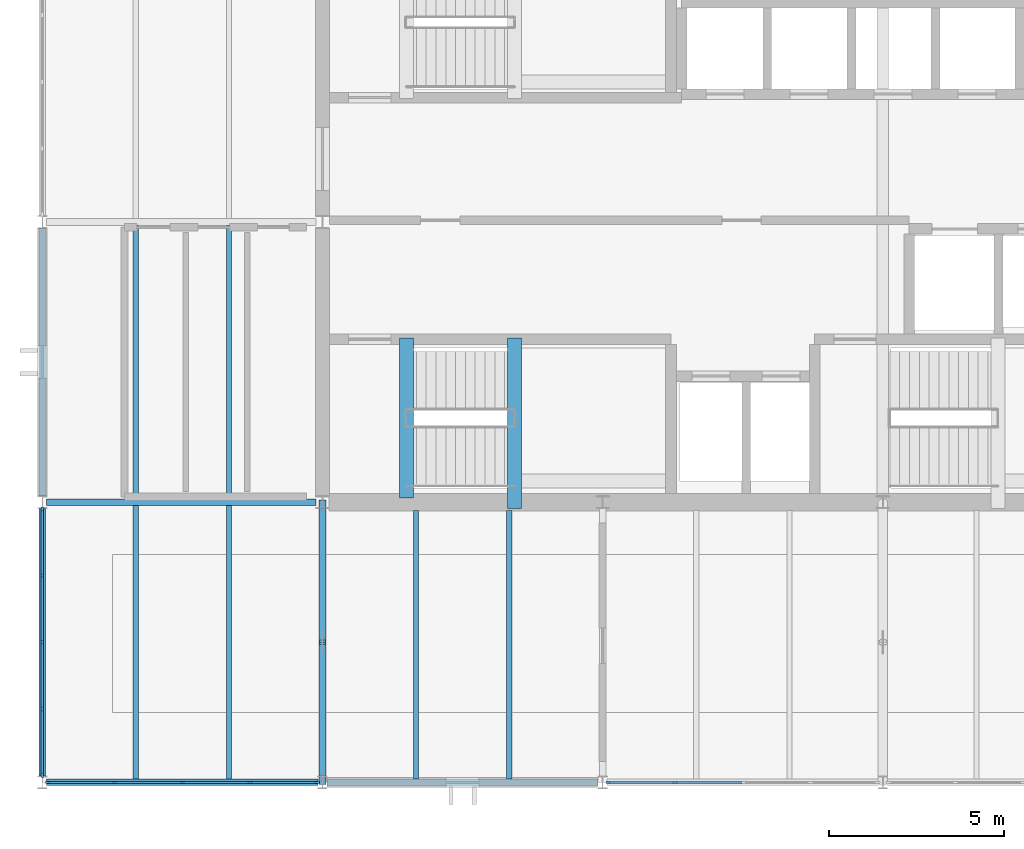
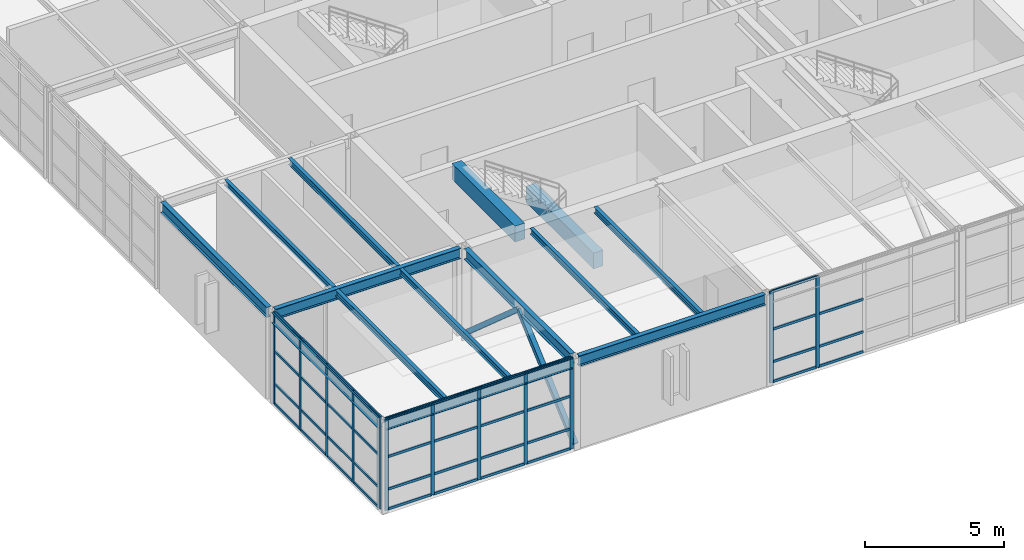
# One storey, part 5 of 21: 53 members, 14 beams, 3 elements without a shape of their own.
"""IFC4 building model written with IfcOpenShell, lengths in metres."""

import ifcopenshell
import ifcopenshell.guid

model = None  # the IFC model being written
_history = None  # IfcOwnerHistory: only IFC2X3 demands one
_inside = {}  # id of a spatial element -> (the spatial element, [elements in it])
_under = {}  # id of a project, library or spatial element -> (it, [spatial elements below it])
_declared = {}  # id of a project -> (the project, [libraries it declares])
_typed = {}  # id of a type object -> (the type object, [elements of that type])
_made_of = {}  # id of a material, layer set ... -> (it, [elements and type objects made of it])


def new_model(schema):
    """Start an empty IFC model of exactly this schema.

    Asked for "IFC4X3", IfcOpenShell would pick the latest addendum, in which some entities
    have other attributes; the version numbers below select the first issue.
    IFC2X3 requires an IfcOwnerHistory on every rooted entity: one is made here for all.
    """
    global model, _history
    if schema == "IFC4X3":
        model = ifcopenshell.file(schema_version=(4, 3, 0, 0))
    else:
        model = ifcopenshell.file(schema=schema)
    _inside.clear()
    _under.clear()
    _declared.clear()
    _typed.clear()
    _made_of.clear()
    _history = None
    if model.schema == "IFC2X3":
        org = make("IfcOrganization", Name="unknown")
        user = make(
            "IfcPersonAndOrganization",
            ThePerson=make("IfcPerson", FamilyName="unknown"),
            TheOrganization=org,
        )
        app = make(
            "IfcApplication",
            ApplicationDeveloper=org,
            Version="unknown",
            ApplicationFullName="unknown",
            ApplicationIdentifier="unknown",
        )
        _history = make(
            "IfcOwnerHistory",
            OwningUser=user,
            OwningApplication=app,
            ChangeAction="ADDED",
            CreationDate=0,
        )
    return model


def make(cls, **values):
    """One entity of the class cls with the attributes given. An attribute that is None is left unset."""
    return model.create_entity(
        cls, **{name: value for name, value in values.items() if value is not None}
    )


def rooted(cls, **values):
    """An entity with a GlobalId (a new one), such as an element, a storey or a relation."""
    return make(cls, GlobalId=ifcopenshell.guid.new(), OwnerHistory=_history, **values)


def si_unit(unit_type, name, prefix=None):
    """IfcSIUnit, for example si_unit("LENGTHUNIT", "METRE", prefix="MILLI")."""
    return make("IfcSIUnit", UnitType=unit_type, Prefix=prefix, Name=name)


def assignment(units):
    """IfcUnitAssignment: the units of a project."""
    return None if units is None else make("IfcUnitAssignment", Units=units)


def point(xyz):
    """IfcCartesianPoint."""
    return None if xyz is None else make("IfcCartesianPoint", Coordinates=xyz)


def direction(xyz):
    """IfcDirection."""
    return None if xyz is None else make("IfcDirection", DirectionRatios=xyz)


def frame(location, z_axis=None, x_axis=None):
    """IfcAxis2Placement3D, a coordinate frame: its origin and axes. An axis left out is left unset."""
    return make(
        "IfcAxis2Placement3D",
        Location=point(location),
        Axis=direction(z_axis),
        RefDirection=direction(x_axis),
    )


def frame_2d(location, x_axis=None):
    """IfcAxis2Placement2D, a coordinate frame in the plane: its origin and x axis."""
    return make(
        "IfcAxis2Placement2D", Location=point(location), RefDirection=direction(x_axis)
    )


def origin():
    """The frame at (0, 0, 0) with its axes left unset."""
    return frame((0.0, 0.0, 0.0))


def origin_2d():
    """The frame at (0, 0) in the plane with its x axis left unset."""
    return frame_2d((0.0, 0.0))


def place(relative_to, where):
    """IfcLocalPlacement: puts the frame where relative to a parent placement (None: the world)."""
    return make(
        "IfcLocalPlacement", PlacementRelTo=relative_to, RelativePlacement=where
    )


def context(
    kind, dimensions, precision=None, world=None, true_north=None, identifier=None
):
    """IfcGeometricRepresentationContext, for example the 3D "Model" context."""
    return make(
        "IfcGeometricRepresentationContext",
        ContextIdentifier=identifier,
        ContextType=kind,
        CoordinateSpaceDimension=dimensions,
        Precision=precision,
        WorldCoordinateSystem=world,
        TrueNorth=true_north,
    )


def subcontext(parent, identifier, kind, view, scale=None):
    """IfcGeometricRepresentationSubContext, for example "Body" below "Model"."""
    return make(
        "IfcGeometricRepresentationSubContext",
        ContextIdentifier=identifier,
        ContextType=kind,
        ParentContext=parent,
        TargetScale=scale,
        TargetView=view,
    )


def project(units=None, contexts=None):
    """IfcProject with its units and contexts."""
    return rooted(
        "IfcProject",
        Name="project",
        RepresentationContexts=contexts,
        UnitsInContext=assignment(units),
    )


def spatial(cls, under=None, at=None, **own):
    """A site, building, storey or space (cls), placed at a placement, below another one or the project."""
    s = rooted(cls, ObjectPlacement=at, **own)
    if under is not None:
        _under.setdefault(under.id(), (under, []))[1].append(s)
    return s


def profile(cls, at=None, kind="AREA", **sizes):
    """A parametric profile (cls). Its sizes go by their IFC names, for example OverallWidth=200.0."""
    return make(cls, ProfileType=kind, Position=at, **sizes)


def rectangle(**sizes):
    """IfcRectangleProfileDef."""
    return profile("IfcRectangleProfileDef", **sizes)


def hollow_rectangle(**sizes):
    """IfcRectangleHollowProfileDef."""
    return profile("IfcRectangleHollowProfileDef", **sizes)


def i_section(**sizes):
    """IfcIShapeProfileDef."""
    return profile("IfcIShapeProfileDef", **sizes)


def extrude(swept, where, along, depth):
    """IfcExtrudedAreaSolid: the profile swept, set in the frame where, extruded along a direction by depth."""
    return make(
        "IfcExtrudedAreaSolid",
        SweptArea=swept,
        Position=where,
        ExtrudedDirection=direction(along),
        Depth=depth,
    )


def shape(context_of_items, identifier, shape_type, items):
    """IfcShapeRepresentation: the items that make up one representation, for example the "Body"."""
    return make(
        "IfcShapeRepresentation",
        ContextOfItems=context_of_items,
        RepresentationIdentifier=identifier,
        RepresentationType=shape_type,
        Items=items,
    )


def material(Name=None, Category=None):
    """IfcMaterial."""
    return make("IfcMaterial", Name=Name, Category=Category)


def layer(
    of_material, thickness, ventilated=None, Name=None, Category=None, Priority=None
):
    """IfcMaterialLayer: one layer of a wall or slab, of a material (None: an air gap)."""
    return make(
        "IfcMaterialLayer",
        Material=of_material,
        LayerThickness=thickness,
        IsVentilated=ventilated,
        Name=Name,
        Category=Category,
        Priority=Priority,
    )


def layer_set(layers, Name=None):
    """IfcMaterialLayerSet."""
    return make("IfcMaterialLayerSet", MaterialLayers=layers, LayerSetName=Name)


def material_profile(
    of_material, cross_section, Name=None, Category=None, Priority=None
):
    """IfcMaterialProfile: a cross section and its material."""
    return make(
        "IfcMaterialProfile",
        Name=Name,
        Material=of_material,
        Profile=cross_section,
        Priority=Priority,
        Category=Category,
    )


def profile_set(profiles, Name=None, composite=None):
    """IfcMaterialProfileSet."""
    return make(
        "IfcMaterialProfileSet",
        Name=Name,
        MaterialProfiles=profiles,
        CompositeProfile=composite,
    )


def made_of(thing, what):
    """Note that an element or type object is made of a material, layer set ...; save() writes the relation."""
    if what is not None:
        _made_of.setdefault(what.id(), (what, []))[1].append(thing)
    return thing


def type_object(cls, material=None, **own):
    """A type object (cls), such as IfcWallType, which elements share."""
    return made_of(rooted(cls, **own), material)


def element(
    cls,
    number,
    at=None,
    inside=None,
    cuts=None,
    type_object=None,
    material=None,
    context=None,
    identifier="Body",
    shape_type=None,
    held_by="IfcProductDefinitionShape",
    body=None,
    shapes=None,
    **own,
):
    """One element of the class cls, such as IfcWall. Its Tag is "e" and its number.

    at: its placement. inside: the storey or other place that contains it. cuts: it is an
    opening in that element (IfcRelVoidsElement). A single representation is given by context,
    identifier, shape_type and body (its items); several are given by shapes. held_by: the class
    of the entity that holds the representations. save() writes the other relations.
    """
    e = rooted(cls, Tag="e%d" % number, ObjectPlacement=at, **own)
    if body is not None:
        shapes = [shape(context, identifier, shape_type, body)]
    if shapes is not None:
        e.Representation = make(held_by, Representations=shapes)
    if inside is not None:
        _inside.setdefault(inside.id(), (inside, []))[1].append(e)
    if cuts is not None:
        rooted(
            "IfcRelVoidsElement", RelatingBuildingElement=cuts, RelatedOpeningElement=e
        )
    if type_object is not None:
        _typed.setdefault(type_object.id(), (type_object, []))[1].append(e)
    return made_of(e, material)


def aggregate(whole, parts):
    """IfcRelAggregates: a whole, such as a stair, and the parts it consists of."""
    return rooted("IfcRelAggregates", RelatingObject=whole, RelatedObjects=parts)


def save(model, path):
    """Write the relations noted so far, then the file.

    IfcRelAggregates (storeys below a building ...), IfcRelContainedInSpatialStructure (elements
    in a storey), IfcRelDefinesByType, IfcRelAssociatesMaterial and IfcRelDeclares: one each for
    every whole, place, type object, material and project.
    """
    for whole, parts in _under.values():
        aggregate(whole, parts)
    for where, things in _inside.values():
        rooted(
            "IfcRelContainedInSpatialStructure",
            RelatedElements=things,
            RelatingStructure=where,
        )
    for kind, things in _typed.values():
        rooted("IfcRelDefinesByType", RelatedObjects=things, RelatingType=kind)
    for what, things in _made_of.values():
        rooted("IfcRelAssociatesMaterial", RelatedObjects=things, RelatingMaterial=what)
    for by, libraries in _declared.values():
        rooted("IfcRelDeclares", RelatingContext=by, RelatedDefinitions=libraries)
    model.write(path)


model = new_model("IFC4")

# Units and contexts
model_context = context("Model", 3, precision=1e-05, world=origin(), true_north=direction((0.0, 1.0)))
body_context = subcontext(model_context, "Body", "Model", "MODEL_VIEW")
ifc_project = project(units=[si_unit("LENGTHUNIT", "METRE"), si_unit("AREAUNIT", "SQUARE_METRE"), si_unit("VOLUMEUNIT", "CUBIC_METRE"), si_unit("PLANEANGLEUNIT", "RADIAN"), si_unit("MASSUNIT", "GRAM", prefix="KILO")], contexts=[model_context])

# Site, building, storey
site_placement = place(None, origin())
site = spatial("IfcSite", under=ifc_project, at=site_placement, CompositionType="ELEMENT")
building_placement = place(site_placement, origin())
building = spatial("IfcBuilding", under=site, at=building_placement, Name="Varnela Railside Interchange", CompositionType="ELEMENT")
storey_placement = place(building_placement, frame((0.0, 0.0, 23.800048828125)))
storey = spatial("IfcBuildingStorey", under=building, at=storey_placement, Name="L05", CompositionType="ELEMENT", Elevation=23.800048828125)

# Beams
ifc_material_1 = material(Name="Steel AR 350 (350 MPa)", Category="steel")
ifc_material_profile_1 = material_profile(ifc_material_1, i_section(OverallWidth=0.14794921875, OverallDepth=0.26611328125, WebThickness=0.007568359375, FlangeThickness=0.012939453125, at=origin_2d()), Name="W250x44.8")
ifc_profile_set_1 = profile_set([ifc_material_profile_1], Name="Steel AR 350 (350 MPa)")
beam_type_1 = type_object("IfcBeamType", Name="Composite Floor Joist J-05", PredefinedType="JOIST", material=ifc_profile_set_1)
for number, where, z_axis, x_axis, name in (
    (1, (6.669921875, 46.095947265625, 3.886962890625), (0.0, 1.0, 0.0), (-1.0, 0.0, 0.0), "Composite Floor Joist J-05 (L05) (BM-2542)"),
    (2, (9.330078125, 46.095947265625, 3.886962890625), (0.0, 1.0, 0.0), (-1.0, 0.0, 0.0), "Composite Floor Joist J-05 (L05) (BM-2543)"),
    (3, (6.669921875, 54.095947265625, 3.886962890625), (0.0, 1.0, 0.0), (-1.0, 0.0, 0.0), "Composite Floor Joist J-05 (L05) (BM-2544)"),
    (4, (9.330078125, 54.095947265625, 3.886962890625), (0.0, 1.0, 0.0), (-1.0, 0.0, 0.0), "Composite Floor Joist J-05 (L05) (BM-2545)"),
):
    element("IfcBeam", number, at=place(storey_placement, frame(where, z_axis=z_axis, x_axis=x_axis)), inside=storey, type_object=beam_type_1, Name=name, PredefinedType="JOIST", context=body_context, shape_type="SweptSolid", body=[
        extrude(i_section(OverallWidth=0.14794921875, OverallDepth=0.26611328125, WebThickness=0.007568359375, FlangeThickness=0.012939453125, at=origin_2d()), origin(), (0.0, 0.0, 1.0), 7.80810546875),
    ])
for number, where, z_axis, x_axis, name in (
    (5, (14.669921875, 46.095947265625, 3.886962890625), (0.0, 1.0, 0.0), (-1.0, 0.0, 0.0), "Composite Floor Joist J-05 (L05) (BM-2554)"),
    (6, (17.330078125, 46.095947265625, 3.886962890625), (0.0, 1.0, 0.0), (-1.0, 0.0, 0.0), "Composite Floor Joist J-05 (L05) (BM-2555)"),
):
    element("IfcBeam", number, at=place(storey_placement, frame(where, z_axis=z_axis, x_axis=x_axis)), inside=storey, type_object=beam_type_1, Name=name, PredefinedType="JOIST", context=body_context, shape_type="SweptSolid", body=[
        extrude(i_section(OverallWidth=0.14794921875, OverallDepth=0.26611328125, WebThickness=0.007568359375, FlangeThickness=0.012939453125, at=origin_2d()), origin(), (0.0, 0.0, 1.0), 7.6640625),
    ])
ifc_material_2 = material(Name="Concrete C40", Category="concrete")
ifc_material_profile_2 = material_profile(ifc_material_2, rectangle(XDim=0.39990234375, YDim=0.699951171875, at=origin_2d()), Name="RC 400x700")
ifc_profile_set_2 = profile_set([ifc_material_profile_2], Name="Concrete C40")
beam_type_2 = type_object("IfcBeamType", Name="Concrete Tie Beam B-01", PredefinedType="BEAM", material=ifc_profile_set_2)
beam_1_placement = place(storey_placement, frame((14.39990234375, 54.1201171875, 3.669921875), z_axis=(0.0, 1.0, 0.0), x_axis=(-1.0, 0.0, 0.0)))
element("IfcBeam", 7, at=beam_1_placement, inside=storey, type_object=beam_type_2, Name="Concrete Tie Beam B-01 (L05) (BM-2638)", PredefinedType="BEAM", context=body_context, shape_type="SweptSolid", body=[
    extrude(rectangle(XDim=0.39990234375, YDim=0.699951171875, at=origin_2d()), origin(), (0.0, 0.0, 1.0), 4.559814453125),
])
beam_2_placement = place(storey_placement, frame((17.47998046875, 53.820068359375, 1.58984375), z_axis=(0.0, 1.0, 0.0), x_axis=(-1.0, 0.0, 0.0)))
element("IfcBeam", 8, at=beam_2_placement, inside=storey, type_object=beam_type_2, Name="Concrete Tie Beam B-01 (L05) (BM-2635)", PredefinedType="BEAM", context=body_context, shape_type="SweptSolid", body=[
    extrude(rectangle(XDim=0.39990234375, YDim=0.699951171875, at=origin_2d()), origin(), (0.0, 0.0, 1.0), 4.85986328125),
])

# Curtain wall, members
ifc_material_3 = material(Name="Aluminium 6063-T6", Category="aluminium")
ifc_layer = layer(ifc_material_3, 0.035888671875)
ifc_layer_set = layer_set([ifc_layer], Name="Aluminium 6063-T6")
curtain_wall_type = type_object("IfcCurtainWallType", Name="Operations Wing Facade Curtain Wall CW-03", PredefinedType="USERDEFINED", material=ifc_layer_set)
curtain_wall_1_placement = place(storey_placement, origin())
curtain_wall_1 = element("IfcCurtainWall", 9, at=curtain_wall_1_placement, inside=storey, type_object=curtain_wall_type, Name="Curtain Wall CW-03 (L05) (CW-131)", ObjectType="CURTAIN WALL", PredefinedType="USERDEFINED")
ifc_material_profile_3 = material_profile(ifc_material_3, rectangle(XDim=0.06005859375, YDim=0.139892578125, at=origin_2d()), Name="ALU 60x140")
ifc_profile_set_3 = profile_set([ifc_material_profile_3], Name="Aluminium 6063-T6")
member_type_1 = type_object("IfcMemberType", Name="Curtain Wall Mullion ML-01", PredefinedType="MULLION", material=ifc_profile_set_3)
member_1_placement = place(storey_placement, frame((22.064208984375, 46.0, 0.0), z_axis=(0.0, 0.0, 1.0), x_axis=(0.0, -1.0, 0.0)))
member_1 = element("IfcMember", 10, at=member_1_placement, type_object=member_type_1, Name="CW-03 mullion 4", PredefinedType="MULLION", context=body_context, shape_type="SweptSolid", body=[
    extrude(rectangle(XDim=0.06005859375, YDim=0.139892578125, at=origin_2d()), origin(), (0.0, 0.0, 1.0), 4.02001953125),
])
member_2_placement = place(storey_placement, frame((20.158447265625, 46.0, 0.0), z_axis=(0.0, 0.0, 1.0), x_axis=(0.0, -1.0, 0.0)))
member_2 = element("IfcMember", 11, at=member_2_placement, type_object=member_type_1, Name="CW-03 mullion 5", PredefinedType="MULLION", context=body_context, shape_type="SweptSolid", body=[
    extrude(rectangle(XDim=0.06005859375, YDim=0.139892578125, at=origin_2d()), origin(), (0.0, 0.0, 1.0), 4.02001953125),
])

curtain_wall_2_placement = place(storey_placement, origin())
curtain_wall_2 = element("IfcCurtainWall", 12, at=curtain_wall_2_placement, inside=storey, type_object=curtain_wall_type, Name="Curtain Wall CW-03 (L05) (CW-133)", ObjectType="CURTAIN WALL", PredefinedType="USERDEFINED")
member_3_placement = place(storey_placement, frame((11.841552734375, 46.0, 0.0), z_axis=(0.0, 0.0, 1.0), x_axis=(0.0, -1.0, 0.0)))
member_3 = element("IfcMember", 13, at=member_3_placement, type_object=member_type_1, Name="CW-03 mullion 1", PredefinedType="MULLION", context=body_context, shape_type="SweptSolid", body=[
    extrude(rectangle(XDim=0.06005859375, YDim=0.139892578125, at=origin_2d()), origin(), (0.0, 0.0, 1.0), 4.02001953125),
])
member_4_placement = place(storey_placement, frame((9.935791015625, 46.0, 0.0), z_axis=(0.0, 0.0, 1.0), x_axis=(0.0, -1.0, 0.0)))
member_4 = element("IfcMember", 14, at=member_4_placement, type_object=member_type_1, Name="CW-03 mullion 2", PredefinedType="MULLION", context=body_context, shape_type="SweptSolid", body=[
    extrude(rectangle(XDim=0.06005859375, YDim=0.139892578125, at=origin_2d()), origin(), (0.0, 0.0, 1.0), 4.02001953125),
])
member_5_placement = place(storey_placement, frame((8.0, 46.0, 0.0), z_axis=(0.0, 0.0, 1.0), x_axis=(0.0, -1.0, 0.0)))
member_5 = element("IfcMember", 15, at=member_5_placement, type_object=member_type_1, Name="CW-03 mullion 3", PredefinedType="MULLION", context=body_context, shape_type="SweptSolid", body=[
    extrude(rectangle(XDim=0.06005859375, YDim=0.139892578125, at=origin_2d()), origin(), (0.0, 0.0, 1.0), 4.02001953125),
])
member_6_placement = place(storey_placement, frame((6.064208984375, 46.0, 0.0), z_axis=(0.0, 0.0, 1.0), x_axis=(0.0, -1.0, 0.0)))
member_6 = element("IfcMember", 16, at=member_6_placement, type_object=member_type_1, Name="CW-03 mullion 4", PredefinedType="MULLION", context=body_context, shape_type="SweptSolid", body=[
    extrude(rectangle(XDim=0.06005859375, YDim=0.139892578125, at=origin_2d()), origin(), (0.0, 0.0, 1.0), 4.02001953125),
])
member_7_placement = place(storey_placement, frame((4.158447265625, 46.0, 0.0), z_axis=(0.0, 0.0, 1.0), x_axis=(0.0, -1.0, 0.0)))
member_7 = element("IfcMember", 17, at=member_7_placement, type_object=member_type_1, Name="CW-03 mullion 5", PredefinedType="MULLION", context=body_context, shape_type="SweptSolid", body=[
    extrude(rectangle(XDim=0.06005859375, YDim=0.139892578125, at=origin_2d()), origin(), (0.0, 0.0, 1.0), 4.02001953125),
])

curtain_wall_3_placement = place(storey_placement, origin())
curtain_wall_3 = element("IfcCurtainWall", 18, at=curtain_wall_3_placement, inside=storey, type_object=curtain_wall_type, Name="Curtain Wall CW-03 (L05) (CW-134)", ObjectType="CURTAIN WALL", PredefinedType="USERDEFINED")
member_8_placement = place(storey_placement, frame((4.0, 46.21142578125, 0.0), z_axis=(0.0, 0.0, 1.0), x_axis=(-1.0, 0.0, 0.0)))
member_8 = element("IfcMember", 19, at=member_8_placement, type_object=member_type_1, Name="CW-03 mullion 1", PredefinedType="MULLION", context=body_context, shape_type="SweptSolid", body=[
    extrude(rectangle(XDim=0.06005859375, YDim=0.139892578125, at=origin_2d()), origin(), (0.0, 0.0, 1.0), 4.02001953125),
])
member_9_placement = place(storey_placement, frame((4.0, 48.0908203125, 0.0), z_axis=(0.0, 0.0, 1.0), x_axis=(-1.0, 0.0, 0.0)))
member_9 = element("IfcMember", 20, at=member_9_placement, type_object=member_type_1, Name="CW-03 mullion 2", PredefinedType="MULLION", context=body_context, shape_type="SweptSolid", body=[
    extrude(rectangle(XDim=0.06005859375, YDim=0.139892578125, at=origin_2d()), origin(), (0.0, 0.0, 1.0), 4.02001953125),
])
member_10_placement = place(storey_placement, frame((4.0, 50.0, 0.0), z_axis=(0.0, 0.0, 1.0), x_axis=(-1.0, 0.0, 0.0)))
member_10 = element("IfcMember", 21, at=member_10_placement, type_object=member_type_1, Name="CW-03 mullion 3", PredefinedType="MULLION", context=body_context, shape_type="SweptSolid", body=[
    extrude(rectangle(XDim=0.06005859375, YDim=0.139892578125, at=origin_2d()), origin(), (0.0, 0.0, 1.0), 4.02001953125),
])
member_11_placement = place(storey_placement, frame((4.0, 51.9091796875, 0.0), z_axis=(0.0, 0.0, 1.0), x_axis=(-1.0, 0.0, 0.0)))
member_11 = element("IfcMember", 22, at=member_11_placement, type_object=member_type_1, Name="CW-03 mullion 4", PredefinedType="MULLION", context=body_context, shape_type="SweptSolid", body=[
    extrude(rectangle(XDim=0.06005859375, YDim=0.139892578125, at=origin_2d()), origin(), (0.0, 0.0, 1.0), 4.02001953125),
])
member_12_placement = place(storey_placement, frame((4.0, 53.78857421875, 0.0), z_axis=(0.0, 0.0, 1.0), x_axis=(-1.0, 0.0, 0.0)))
member_12 = element("IfcMember", 23, at=member_12_placement, type_object=member_type_1, Name="CW-03 mullion 5", PredefinedType="MULLION", context=body_context, shape_type="SweptSolid", body=[
    extrude(rectangle(XDim=0.06005859375, YDim=0.139892578125, at=origin_2d()), origin(), (0.0, 0.0, 1.0), 4.02001953125),
])

# Member
ifc_material_profile_4 = material_profile(ifc_material_3, rectangle(XDim=0.06005859375, YDim=0.110107421875, at=origin_2d()), Name="ALU 60x110")
ifc_profile_set_4 = profile_set([ifc_material_profile_4], Name="Aluminium 6063-T6")
member_type_2 = type_object("IfcMemberType", Name="Curtain Wall Transom TR-01", PredefinedType="USERDEFINED", material=ifc_profile_set_4)
member_13_placement = place(storey_placement, frame((23.969970703125, 46.0, 0.030029296875), z_axis=(-1.0, 0.0, 0.0), x_axis=(0.0, -1.0, 0.0)))
member_13 = element("IfcMember", 24, at=member_13_placement, type_object=member_type_2, Name="CW-03 transom 3.1", ObjectType="TRANSOM", PredefinedType="USERDEFINED", context=body_context, shape_type="SweptSolid", body=[
    extrude(rectangle(XDim=0.06005859375, YDim=0.110107421875, at=origin_2d()), origin(), (0.0, 0.0, 1.0), 1.875732421875),
])

member_14_placement = place(storey_placement, frame((23.969970703125, 46.0, 0.89990234375), z_axis=(-1.0, 0.0, 0.0), x_axis=(0.0, -1.0, 0.0)))
member_14 = element("IfcMember", 25, at=member_14_placement, type_object=member_type_2, Name="CW-03 transom 3.2", ObjectType="TRANSOM", PredefinedType="USERDEFINED", context=body_context, shape_type="SweptSolid", body=[
    extrude(rectangle(XDim=0.06005859375, YDim=0.110107421875, at=origin_2d()), origin(), (0.0, 0.0, 1.0), 1.875732421875),
])

member_15_placement = place(storey_placement, frame((23.969970703125, 46.0, 2.33154296875), z_axis=(-1.0, 0.0, 0.0), x_axis=(0.0, -1.0, 0.0)))
member_15 = element("IfcMember", 26, at=member_15_placement, type_object=member_type_2, Name="CW-03 transom 3.3", ObjectType="TRANSOM", PredefinedType="USERDEFINED", context=body_context, shape_type="SweptSolid", body=[
    extrude(rectangle(XDim=0.06005859375, YDim=0.110107421875, at=origin_2d()), origin(), (0.0, 0.0, 1.0), 1.875732421875),
])

member_16_placement = place(storey_placement, frame((22.0341796875, 46.0, 0.030029296875), z_axis=(-1.0, 0.0, 0.0), x_axis=(0.0, -1.0, 0.0)))
member_16 = element("IfcMember", 27, at=member_16_placement, type_object=member_type_2, Name="CW-03 transom 4.1", ObjectType="TRANSOM", PredefinedType="USERDEFINED", context=body_context, shape_type="SweptSolid", body=[
    extrude(rectangle(XDim=0.06005859375, YDim=0.110107421875, at=origin_2d()), origin(), (0.0, 0.0, 1.0), 1.845703125),
])

member_17_placement = place(storey_placement, frame((22.0341796875, 46.0, 0.89990234375), z_axis=(-1.0, 0.0, 0.0), x_axis=(0.0, -1.0, 0.0)))
member_17 = element("IfcMember", 28, at=member_17_placement, type_object=member_type_2, Name="CW-03 transom 4.2", ObjectType="TRANSOM", PredefinedType="USERDEFINED", context=body_context, shape_type="SweptSolid", body=[
    extrude(rectangle(XDim=0.06005859375, YDim=0.110107421875, at=origin_2d()), origin(), (0.0, 0.0, 1.0), 1.845703125),
])

member_18_placement = place(storey_placement, frame((22.0341796875, 46.0, 2.33154296875), z_axis=(-1.0, 0.0, 0.0), x_axis=(0.0, -1.0, 0.0)))
member_18 = element("IfcMember", 29, at=member_18_placement, type_object=member_type_2, Name="CW-03 transom 4.3", ObjectType="TRANSOM", PredefinedType="USERDEFINED", context=body_context, shape_type="SweptSolid", body=[
    extrude(rectangle(XDim=0.06005859375, YDim=0.110107421875, at=origin_2d()), origin(), (0.0, 0.0, 1.0), 1.845703125),
])

member_19_placement = place(storey_placement, frame((22.0341796875, 46.0, 3.989990234375), z_axis=(-1.0, 0.0, 0.0), x_axis=(0.0, -1.0, 0.0)))
member_19 = element("IfcMember", 30, at=member_19_placement, type_object=member_type_2, Name="CW-03 transom 4.4", ObjectType="TRANSOM", PredefinedType="USERDEFINED", context=body_context, shape_type="SweptSolid", body=[
    extrude(rectangle(XDim=0.06005859375, YDim=0.110107421875, at=origin_2d()), origin(), (0.0, 0.0, 1.0), 1.845703125),
])

aggregate(curtain_wall_1, [member_1, member_2, member_13, member_14, member_15, member_16, member_17, member_18, member_19])

member_20_placement = place(storey_placement, frame((11.8115234375, 46.0, 0.030029296875), z_axis=(-1.0, 0.0, 0.0), x_axis=(0.0, -1.0, 0.0)))
member_20 = element("IfcMember", 31, at=member_20_placement, type_object=member_type_2, Name="CW-03 transom 1.1", ObjectType="TRANSOM", PredefinedType="USERDEFINED", context=body_context, shape_type="SweptSolid", body=[
    extrude(rectangle(XDim=0.06005859375, YDim=0.110107421875, at=origin_2d()), origin(), (0.0, 0.0, 1.0), 1.845703125),
])

member_21_placement = place(storey_placement, frame((11.8115234375, 46.0, 0.89990234375), z_axis=(-1.0, 0.0, 0.0), x_axis=(0.0, -1.0, 0.0)))
member_21 = element("IfcMember", 32, at=member_21_placement, type_object=member_type_2, Name="CW-03 transom 1.2", ObjectType="TRANSOM", PredefinedType="USERDEFINED", context=body_context, shape_type="SweptSolid", body=[
    extrude(rectangle(XDim=0.06005859375, YDim=0.110107421875, at=origin_2d()), origin(), (0.0, 0.0, 1.0), 1.845703125),
])

member_22_placement = place(storey_placement, frame((11.8115234375, 46.0, 2.33154296875), z_axis=(-1.0, 0.0, 0.0), x_axis=(0.0, -1.0, 0.0)))
member_22 = element("IfcMember", 33, at=member_22_placement, type_object=member_type_2, Name="CW-03 transom 1.3", ObjectType="TRANSOM", PredefinedType="USERDEFINED", context=body_context, shape_type="SweptSolid", body=[
    extrude(rectangle(XDim=0.06005859375, YDim=0.110107421875, at=origin_2d()), origin(), (0.0, 0.0, 1.0), 1.845703125),
])

member_23_placement = place(storey_placement, frame((11.8115234375, 46.0, 3.989990234375), z_axis=(-1.0, 0.0, 0.0), x_axis=(0.0, -1.0, 0.0)))
member_23 = element("IfcMember", 34, at=member_23_placement, type_object=member_type_2, Name="CW-03 transom 1.4", ObjectType="TRANSOM", PredefinedType="USERDEFINED", context=body_context, shape_type="SweptSolid", body=[
    extrude(rectangle(XDim=0.06005859375, YDim=0.110107421875, at=origin_2d()), origin(), (0.0, 0.0, 1.0), 1.845703125),
])

member_24_placement = place(storey_placement, frame((9.90576171875, 46.0, 0.030029296875), z_axis=(-1.0, 0.0, 0.0), x_axis=(0.0, -1.0, 0.0)))
member_24 = element("IfcMember", 35, at=member_24_placement, type_object=member_type_2, Name="CW-03 transom 2.1", ObjectType="TRANSOM", PredefinedType="USERDEFINED", context=body_context, shape_type="SweptSolid", body=[
    extrude(rectangle(XDim=0.06005859375, YDim=0.110107421875, at=origin_2d()), origin(), (0.0, 0.0, 1.0), 1.875732421875),
])

member_25_placement = place(storey_placement, frame((9.90576171875, 46.0, 0.89990234375), z_axis=(-1.0, 0.0, 0.0), x_axis=(0.0, -1.0, 0.0)))
member_25 = element("IfcMember", 36, at=member_25_placement, type_object=member_type_2, Name="CW-03 transom 2.2", ObjectType="TRANSOM", PredefinedType="USERDEFINED", context=body_context, shape_type="SweptSolid", body=[
    extrude(rectangle(XDim=0.06005859375, YDim=0.110107421875, at=origin_2d()), origin(), (0.0, 0.0, 1.0), 1.875732421875),
])

member_26_placement = place(storey_placement, frame((9.90576171875, 46.0, 2.33154296875), z_axis=(-1.0, 0.0, 0.0), x_axis=(0.0, -1.0, 0.0)))
member_26 = element("IfcMember", 37, at=member_26_placement, type_object=member_type_2, Name="CW-03 transom 2.3", ObjectType="TRANSOM", PredefinedType="USERDEFINED", context=body_context, shape_type="SweptSolid", body=[
    extrude(rectangle(XDim=0.06005859375, YDim=0.110107421875, at=origin_2d()), origin(), (0.0, 0.0, 1.0), 1.875732421875),
])

member_27_placement = place(storey_placement, frame((9.90576171875, 46.0, 3.989990234375), z_axis=(-1.0, 0.0, 0.0), x_axis=(0.0, -1.0, 0.0)))
member_27 = element("IfcMember", 38, at=member_27_placement, type_object=member_type_2, Name="CW-03 transom 2.4", ObjectType="TRANSOM", PredefinedType="USERDEFINED", context=body_context, shape_type="SweptSolid", body=[
    extrude(rectangle(XDim=0.06005859375, YDim=0.110107421875, at=origin_2d()), origin(), (0.0, 0.0, 1.0), 1.875732421875),
])

member_28_placement = place(storey_placement, frame((7.969970703125, 46.0, 0.030029296875), z_axis=(-1.0, 0.0, 0.0), x_axis=(0.0, -1.0, 0.0)))
member_28 = element("IfcMember", 39, at=member_28_placement, type_object=member_type_2, Name="CW-03 transom 3.1", ObjectType="TRANSOM", PredefinedType="USERDEFINED", context=body_context, shape_type="SweptSolid", body=[
    extrude(rectangle(XDim=0.06005859375, YDim=0.110107421875, at=origin_2d()), origin(), (0.0, 0.0, 1.0), 1.875732421875),
])

member_29_placement = place(storey_placement, frame((7.969970703125, 46.0, 0.89990234375), z_axis=(-1.0, 0.0, 0.0), x_axis=(0.0, -1.0, 0.0)))
member_29 = element("IfcMember", 40, at=member_29_placement, type_object=member_type_2, Name="CW-03 transom 3.2", ObjectType="TRANSOM", PredefinedType="USERDEFINED", context=body_context, shape_type="SweptSolid", body=[
    extrude(rectangle(XDim=0.06005859375, YDim=0.110107421875, at=origin_2d()), origin(), (0.0, 0.0, 1.0), 1.875732421875),
])

member_30_placement = place(storey_placement, frame((7.969970703125, 46.0, 2.33154296875), z_axis=(-1.0, 0.0, 0.0), x_axis=(0.0, -1.0, 0.0)))
member_30 = element("IfcMember", 41, at=member_30_placement, type_object=member_type_2, Name="CW-03 transom 3.3", ObjectType="TRANSOM", PredefinedType="USERDEFINED", context=body_context, shape_type="SweptSolid", body=[
    extrude(rectangle(XDim=0.06005859375, YDim=0.110107421875, at=origin_2d()), origin(), (0.0, 0.0, 1.0), 1.875732421875),
])

member_31_placement = place(storey_placement, frame((7.969970703125, 46.0, 3.989990234375), z_axis=(-1.0, 0.0, 0.0), x_axis=(0.0, -1.0, 0.0)))
member_31 = element("IfcMember", 42, at=member_31_placement, type_object=member_type_2, Name="CW-03 transom 3.4", ObjectType="TRANSOM", PredefinedType="USERDEFINED", context=body_context, shape_type="SweptSolid", body=[
    extrude(rectangle(XDim=0.06005859375, YDim=0.110107421875, at=origin_2d()), origin(), (0.0, 0.0, 1.0), 1.875732421875),
])

member_32_placement = place(storey_placement, frame((6.0341796875, 46.0, 0.030029296875), z_axis=(-1.0, 0.0, 0.0), x_axis=(0.0, -1.0, 0.0)))
member_32 = element("IfcMember", 43, at=member_32_placement, type_object=member_type_2, Name="CW-03 transom 4.1", ObjectType="TRANSOM", PredefinedType="USERDEFINED", context=body_context, shape_type="SweptSolid", body=[
    extrude(rectangle(XDim=0.06005859375, YDim=0.110107421875, at=origin_2d()), origin(), (0.0, 0.0, 1.0), 1.845703125),
])

member_33_placement = place(storey_placement, frame((6.0341796875, 46.0, 0.89990234375), z_axis=(-1.0, 0.0, 0.0), x_axis=(0.0, -1.0, 0.0)))
member_33 = element("IfcMember", 44, at=member_33_placement, type_object=member_type_2, Name="CW-03 transom 4.2", ObjectType="TRANSOM", PredefinedType="USERDEFINED", context=body_context, shape_type="SweptSolid", body=[
    extrude(rectangle(XDim=0.06005859375, YDim=0.110107421875, at=origin_2d()), origin(), (0.0, 0.0, 1.0), 1.845703125),
])

member_34_placement = place(storey_placement, frame((6.0341796875, 46.0, 2.33154296875), z_axis=(-1.0, 0.0, 0.0), x_axis=(0.0, -1.0, 0.0)))
member_34 = element("IfcMember", 45, at=member_34_placement, type_object=member_type_2, Name="CW-03 transom 4.3", ObjectType="TRANSOM", PredefinedType="USERDEFINED", context=body_context, shape_type="SweptSolid", body=[
    extrude(rectangle(XDim=0.06005859375, YDim=0.110107421875, at=origin_2d()), origin(), (0.0, 0.0, 1.0), 1.845703125),
])

member_35_placement = place(storey_placement, frame((6.0341796875, 46.0, 3.989990234375), z_axis=(-1.0, 0.0, 0.0), x_axis=(0.0, -1.0, 0.0)))
member_35 = element("IfcMember", 46, at=member_35_placement, type_object=member_type_2, Name="CW-03 transom 4.4", ObjectType="TRANSOM", PredefinedType="USERDEFINED", context=body_context, shape_type="SweptSolid", body=[
    extrude(rectangle(XDim=0.06005859375, YDim=0.110107421875, at=origin_2d()), origin(), (0.0, 0.0, 1.0), 1.845703125),
])

aggregate(curtain_wall_2, [member_3, member_4, member_5, member_6, member_7, member_20, member_21, member_22, member_23, member_24, member_25, member_26, member_27, member_28, member_29, member_30, member_31, member_32, member_33, member_34, member_35])

member_36_placement = place(storey_placement, frame((4.0, 46.241455078125, 0.030029296875), z_axis=(0.0, 1.0, 0.0), x_axis=(-1.0, 0.0, 0.0)))
member_36 = element("IfcMember", 47, at=member_36_placement, type_object=member_type_2, Name="CW-03 transom 1.1", ObjectType="TRANSOM", PredefinedType="USERDEFINED", context=body_context, shape_type="SweptSolid", body=[
    extrude(rectangle(XDim=0.06005859375, YDim=0.110107421875, at=origin_2d()), origin(), (0.0, 0.0, 1.0), 1.8193359375),
])

member_37_placement = place(storey_placement, frame((4.0, 46.241455078125, 0.89990234375), z_axis=(0.0, 1.0, 0.0), x_axis=(-1.0, 0.0, 0.0)))
member_37 = element("IfcMember", 48, at=member_37_placement, type_object=member_type_2, Name="CW-03 transom 1.2", ObjectType="TRANSOM", PredefinedType="USERDEFINED", context=body_context, shape_type="SweptSolid", body=[
    extrude(rectangle(XDim=0.06005859375, YDim=0.110107421875, at=origin_2d()), origin(), (0.0, 0.0, 1.0), 1.8193359375),
])

member_38_placement = place(storey_placement, frame((4.0, 46.241455078125, 2.33154296875), z_axis=(0.0, 1.0, 0.0), x_axis=(-1.0, 0.0, 0.0)))
member_38 = element("IfcMember", 49, at=member_38_placement, type_object=member_type_2, Name="CW-03 transom 1.3", ObjectType="TRANSOM", PredefinedType="USERDEFINED", context=body_context, shape_type="SweptSolid", body=[
    extrude(rectangle(XDim=0.06005859375, YDim=0.110107421875, at=origin_2d()), origin(), (0.0, 0.0, 1.0), 1.8193359375),
])

member_39_placement = place(storey_placement, frame((4.0, 46.241455078125, 3.989990234375), z_axis=(0.0, 1.0, 0.0), x_axis=(-1.0, 0.0, 0.0)))
member_39 = element("IfcMember", 50, at=member_39_placement, type_object=member_type_2, Name="CW-03 transom 1.4", ObjectType="TRANSOM", PredefinedType="USERDEFINED", context=body_context, shape_type="SweptSolid", body=[
    extrude(rectangle(XDim=0.06005859375, YDim=0.110107421875, at=origin_2d()), origin(), (0.0, 0.0, 1.0), 1.8193359375),
])

member_40_placement = place(storey_placement, frame((4.0, 48.120849609375, 0.030029296875), z_axis=(0.0, 1.0, 0.0), x_axis=(-1.0, 0.0, 0.0)))
member_40 = element("IfcMember", 51, at=member_40_placement, type_object=member_type_2, Name="CW-03 transom 2.1", ObjectType="TRANSOM", PredefinedType="USERDEFINED", context=body_context, shape_type="SweptSolid", body=[
    extrude(rectangle(XDim=0.06005859375, YDim=0.110107421875, at=origin_2d()), origin(), (0.0, 0.0, 1.0), 1.84912109375),
])

member_41_placement = place(storey_placement, frame((4.0, 48.120849609375, 0.89990234375), z_axis=(0.0, 1.0, 0.0), x_axis=(-1.0, 0.0, 0.0)))
member_41 = element("IfcMember", 52, at=member_41_placement, type_object=member_type_2, Name="CW-03 transom 2.2", ObjectType="TRANSOM", PredefinedType="USERDEFINED", context=body_context, shape_type="SweptSolid", body=[
    extrude(rectangle(XDim=0.06005859375, YDim=0.110107421875, at=origin_2d()), origin(), (0.0, 0.0, 1.0), 1.84912109375),
])

member_42_placement = place(storey_placement, frame((4.0, 48.120849609375, 2.33154296875), z_axis=(0.0, 1.0, 0.0), x_axis=(-1.0, 0.0, 0.0)))
member_42 = element("IfcMember", 53, at=member_42_placement, type_object=member_type_2, Name="CW-03 transom 2.3", ObjectType="TRANSOM", PredefinedType="USERDEFINED", context=body_context, shape_type="SweptSolid", body=[
    extrude(rectangle(XDim=0.06005859375, YDim=0.110107421875, at=origin_2d()), origin(), (0.0, 0.0, 1.0), 1.84912109375),
])

member_43_placement = place(storey_placement, frame((4.0, 48.120849609375, 3.989990234375), z_axis=(0.0, 1.0, 0.0), x_axis=(-1.0, 0.0, 0.0)))
member_43 = element("IfcMember", 54, at=member_43_placement, type_object=member_type_2, Name="CW-03 transom 2.4", ObjectType="TRANSOM", PredefinedType="USERDEFINED", context=body_context, shape_type="SweptSolid", body=[
    extrude(rectangle(XDim=0.06005859375, YDim=0.110107421875, at=origin_2d()), origin(), (0.0, 0.0, 1.0), 1.84912109375),
])

member_44_placement = place(storey_placement, frame((4.0, 50.030029296875, 0.030029296875), z_axis=(0.0, 1.0, 0.0), x_axis=(-1.0, 0.0, 0.0)))
member_44 = element("IfcMember", 55, at=member_44_placement, type_object=member_type_2, Name="CW-03 transom 3.1", ObjectType="TRANSOM", PredefinedType="USERDEFINED", context=body_context, shape_type="SweptSolid", body=[
    extrude(rectangle(XDim=0.06005859375, YDim=0.110107421875, at=origin_2d()), origin(), (0.0, 0.0, 1.0), 1.84912109375),
])

member_45_placement = place(storey_placement, frame((4.0, 50.030029296875, 0.89990234375), z_axis=(0.0, 1.0, 0.0), x_axis=(-1.0, 0.0, 0.0)))
member_45 = element("IfcMember", 56, at=member_45_placement, type_object=member_type_2, Name="CW-03 transom 3.2", ObjectType="TRANSOM", PredefinedType="USERDEFINED", context=body_context, shape_type="SweptSolid", body=[
    extrude(rectangle(XDim=0.06005859375, YDim=0.110107421875, at=origin_2d()), origin(), (0.0, 0.0, 1.0), 1.84912109375),
])

member_46_placement = place(storey_placement, frame((4.0, 50.030029296875, 2.33154296875), z_axis=(0.0, 1.0, 0.0), x_axis=(-1.0, 0.0, 0.0)))
member_46 = element("IfcMember", 57, at=member_46_placement, type_object=member_type_2, Name="CW-03 transom 3.3", ObjectType="TRANSOM", PredefinedType="USERDEFINED", context=body_context, shape_type="SweptSolid", body=[
    extrude(rectangle(XDim=0.06005859375, YDim=0.110107421875, at=origin_2d()), origin(), (0.0, 0.0, 1.0), 1.84912109375),
])

member_47_placement = place(storey_placement, frame((4.0, 50.030029296875, 3.989990234375), z_axis=(0.0, 1.0, 0.0), x_axis=(-1.0, 0.0, 0.0)))
member_47 = element("IfcMember", 58, at=member_47_placement, type_object=member_type_2, Name="CW-03 transom 3.4", ObjectType="TRANSOM", PredefinedType="USERDEFINED", context=body_context, shape_type="SweptSolid", body=[
    extrude(rectangle(XDim=0.06005859375, YDim=0.110107421875, at=origin_2d()), origin(), (0.0, 0.0, 1.0), 1.84912109375),
])

member_48_placement = place(storey_placement, frame((4.0, 51.939208984375, 0.030029296875), z_axis=(0.0, 1.0, 0.0), x_axis=(-1.0, 0.0, 0.0)))
member_48 = element("IfcMember", 59, at=member_48_placement, type_object=member_type_2, Name="CW-03 transom 4.1", ObjectType="TRANSOM", PredefinedType="USERDEFINED", context=body_context, shape_type="SweptSolid", body=[
    extrude(rectangle(XDim=0.06005859375, YDim=0.110107421875, at=origin_2d()), origin(), (0.0, 0.0, 1.0), 1.8193359375),
])

member_49_placement = place(storey_placement, frame((4.0, 51.939208984375, 0.89990234375), z_axis=(0.0, 1.0, 0.0), x_axis=(-1.0, 0.0, 0.0)))
member_49 = element("IfcMember", 60, at=member_49_placement, type_object=member_type_2, Name="CW-03 transom 4.2", ObjectType="TRANSOM", PredefinedType="USERDEFINED", context=body_context, shape_type="SweptSolid", body=[
    extrude(rectangle(XDim=0.06005859375, YDim=0.110107421875, at=origin_2d()), origin(), (0.0, 0.0, 1.0), 1.8193359375),
])

member_50_placement = place(storey_placement, frame((4.0, 51.939208984375, 2.33154296875), z_axis=(0.0, 1.0, 0.0), x_axis=(-1.0, 0.0, 0.0)))
member_50 = element("IfcMember", 61, at=member_50_placement, type_object=member_type_2, Name="CW-03 transom 4.3", ObjectType="TRANSOM", PredefinedType="USERDEFINED", context=body_context, shape_type="SweptSolid", body=[
    extrude(rectangle(XDim=0.06005859375, YDim=0.110107421875, at=origin_2d()), origin(), (0.0, 0.0, 1.0), 1.8193359375),
])

member_51_placement = place(storey_placement, frame((4.0, 51.939208984375, 3.989990234375), z_axis=(0.0, 1.0, 0.0), x_axis=(-1.0, 0.0, 0.0)))
member_51 = element("IfcMember", 62, at=member_51_placement, type_object=member_type_2, Name="CW-03 transom 4.4", ObjectType="TRANSOM", PredefinedType="USERDEFINED", context=body_context, shape_type="SweptSolid", body=[
    extrude(rectangle(XDim=0.06005859375, YDim=0.110107421875, at=origin_2d()), origin(), (0.0, 0.0, 1.0), 1.8193359375),
])

aggregate(curtain_wall_3, [member_8, member_9, member_10, member_11, member_12, member_36, member_37, member_38, member_39, member_40, member_41, member_42, member_43, member_44, member_45, member_46, member_47, member_48, member_49, member_50, member_51])

# Members
ifc_material_profile_5 = material_profile(ifc_material_1, hollow_rectangle(XDim=0.199951171875, YDim=0.199951171875, WallThickness=0.012451171875, at=origin_2d()), Name="HSS 200x200x12.5")
ifc_profile_set_5 = profile_set([ifc_material_profile_5], Name="Steel AR 350 (350 MPa)")
member_type_3 = type_object("IfcMemberType", Name="Lateral Chevron Brace BR-06", PredefinedType="BRACE", material=ifc_profile_set_5)
for number, where, z_axis, x_axis, name in (
    (63, (12.0, 46.0, 0.14990234375), (0.0, 0.750711699002, 0.660629960706), (-1.0, 0.0, 0.0), "Lateral Chevron Brace BR-06 (L05) (MB-0176)"),
    (64, (12.0, 54.0, 0.14990234375), (0.0, -0.750711699002, 0.660629960706), (1.0, 0.0, 0.0), "Lateral Chevron Brace BR-06 (L05) (MB-0177)"),
):
    element("IfcMember", number, at=place(storey_placement, frame(where, z_axis=z_axis, x_axis=x_axis)), inside=storey, type_object=member_type_3, Name=name, PredefinedType="BRACE", context=body_context, shape_type="SweptSolid", body=[
        extrude(hollow_rectangle(XDim=0.199951171875, YDim=0.199951171875, WallThickness=0.012451171875, at=origin_2d()), origin(), (0.0, 0.0, 1.0), 5.328369140625),
    ])

# Beams
ifc_material_profile_6 = material_profile(ifc_material_1, i_section(OverallWidth=0.19091796875, OverallDepth=0.4599609375, WebThickness=0.010009765625, FlangeThickness=0.01611328125, at=origin_2d()), Name="W460x82")
ifc_profile_set_6 = profile_set([ifc_material_profile_6], Name="Steel AR 350 (350 MPa)")
beam_type_3 = type_object("IfcBeamType", Name="Steel Perimeter Spandrel SP-01", PredefinedType="SPANDREL", material=ifc_profile_set_6)
for number, where, z_axis, x_axis, name in (
    (65, (4.12841796875, 46.0, 3.7900390625), (1.0, 0.0, 0.0), (0.0, 1.0, 0.0), "Steel Perimeter Spandrel SP-01 (L05) (BM-2579)"),
    (66, (12.12841796875, 46.0, 3.7900390625), (1.0, 0.0, 0.0), (0.0, 1.0, 0.0), "Steel Perimeter Spandrel SP-01 (L05) (BM-2576)"),
):
    element("IfcBeam", number, at=place(storey_placement, frame(where, z_axis=z_axis, x_axis=x_axis)), inside=storey, type_object=beam_type_3, Name=name, PredefinedType="SPANDREL", context=body_context, shape_type="SweptSolid", body=[
        extrude(i_section(OverallWidth=0.19091796875, OverallDepth=0.4599609375, WebThickness=0.010009765625, FlangeThickness=0.01611328125, at=origin_2d()), origin(), (0.0, 0.0, 1.0), 7.7431640625),
    ])
beam_3_placement = place(storey_placement, frame((4.12841796875, 54.0, 3.7900390625), z_axis=(1.0, 0.0, 0.0), x_axis=(0.0, 1.0, 0.0)))
element("IfcBeam", 67, at=beam_3_placement, inside=storey, type_object=beam_type_3, Name="Steel Perimeter Spandrel SP-01 (L05) (BM-2580)", PredefinedType="SPANDREL", context=body_context, shape_type="SweptSolid", body=[
    extrude(i_section(OverallWidth=0.19091796875, OverallDepth=0.4599609375, WebThickness=0.010009765625, FlangeThickness=0.01611328125, at=origin_2d()), origin(), (0.0, 0.0, 1.0), 7.6865234375),
])
for number, where, z_axis, x_axis, name in (
    (68, (4.0, 46.181396484375, 3.7900390625), (0.0, 1.0, 0.0), (-1.0, 0.0, 0.0), "Steel Perimeter Spandrel SP-01 (L05) (BM-2603)"),
    (69, (4.0, 54.181396484375, 3.7900390625), (0.0, 1.0, 0.0), (-1.0, 0.0, 0.0), "Steel Perimeter Spandrel SP-01 (L05) (BM-2604)"),
):
    element("IfcBeam", number, at=place(storey_placement, frame(where, z_axis=z_axis, x_axis=x_axis)), inside=storey, type_object=beam_type_3, Name=name, PredefinedType="SPANDREL", context=body_context, shape_type="SweptSolid", body=[
        extrude(i_section(OverallWidth=0.19091796875, OverallDepth=0.4599609375, WebThickness=0.010009765625, FlangeThickness=0.01611328125, at=origin_2d()), origin(), (0.0, 0.0, 1.0), 7.63720703125),
    ])
beam_4_placement = place(storey_placement, frame((12.0, 46.181396484375, 3.7900390625), z_axis=(0.0, 1.0, 0.0), x_axis=(-1.0, 0.0, 0.0)))
element("IfcBeam", 70, at=beam_4_placement, inside=storey, type_object=beam_type_3, Name="Steel Perimeter Spandrel SP-01 (L05) (BM-2609)", PredefinedType="SPANDREL", context=body_context, shape_type="SweptSolid", body=[
    extrude(i_section(OverallWidth=0.19091796875, OverallDepth=0.4599609375, WebThickness=0.010009765625, FlangeThickness=0.01611328125, at=origin_2d()), origin(), (0.0, 0.0, 1.0), 7.638671875),
])

save(model, "model.ifc")
